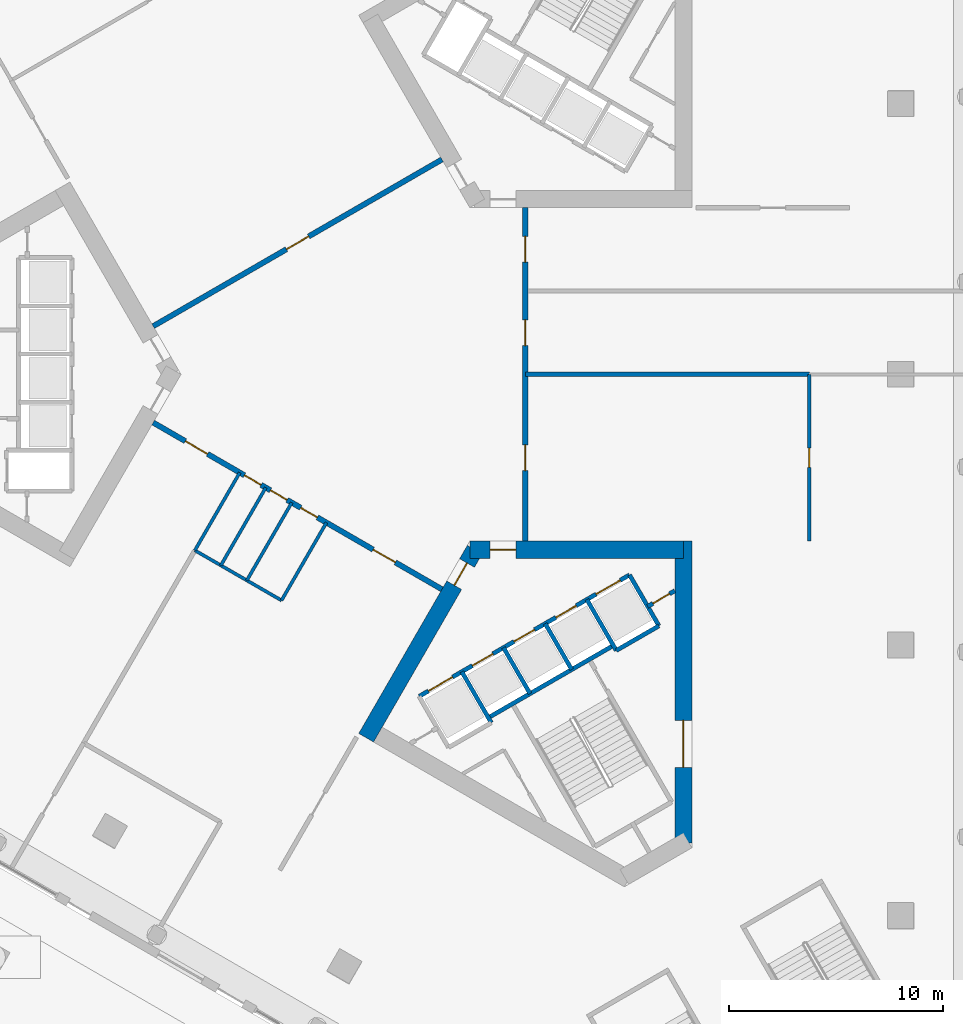
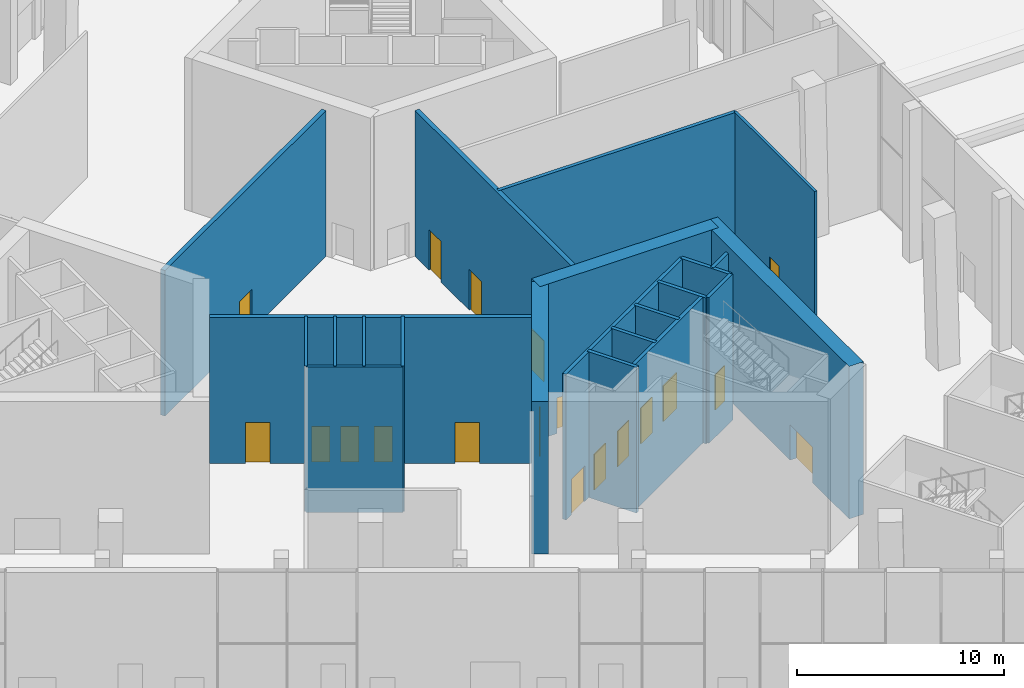
# One storey, part 28 of 63: 22 walls, 19 doors, 19 openings.
"""IFC4 building model written with IfcOpenShell, lengths in metres."""

from ifc_helpers import new_model, si_unit, direction, frame, frame_2d, origin, place, context, subcontext, project, spatial, rectangle, extrude, material, layer, layer_set, type_object, element, fill, save


model = new_model("IFC4")

# Units and contexts
model_context = context("Model", 3, precision=1e-05, world=origin(), true_north=direction((0.0, 1.0)))
body_context = subcontext(model_context, "Body", "Model", "MODEL_VIEW")
ifc_project = project(units=[si_unit("LENGTHUNIT", "METRE"), si_unit("AREAUNIT", "SQUARE_METRE"), si_unit("VOLUMEUNIT", "CUBIC_METRE"), si_unit("PLANEANGLEUNIT", "RADIAN"), si_unit("MASSUNIT", "GRAM", prefix="KILO")], contexts=[model_context])

# Site, building, storey
site_placement = place(None, origin())
site = spatial("IfcSite", under=ifc_project, at=site_placement, CompositionType="ELEMENT")
building_placement = place(site_placement, origin())
building = spatial("IfcBuilding", under=site, at=building_placement, Name="Jabali Bay Hotel Tower and Convention Centre", CompositionType="ELEMENT")
storey_placement = place(building_placement, origin())
storey = spatial("IfcBuildingStorey", under=building, at=storey_placement, Name="L00", CompositionType="ELEMENT", Elevation=0.0)

# Wall, opening, door
ifc_material_1 = material(Name="Concrete C40", Category="concrete")
ifc_layer_1 = layer(ifc_material_1, 0.199951171875)
ifc_layer_set_1 = layer_set([ifc_layer_1], Name="Concrete C40")
wall_type_1 = type_object("IfcWallType", Name="Core partition wall 200", PredefinedType="PARTITIONING", material=ifc_layer_set_1)
wall_1_placement = place(storey_placement, frame((87.814697265625, 69.154296875, 0.0), z_axis=(0.0, 0.0, 1.0), x_axis=(0.866054810376, 0.49994906283, 0.0)))
wall_1 = element("IfcWall", 1, at=wall_1_placement, inside=storey, type_object=wall_type_1, Name="Core wall 2.12 L00", PredefinedType="PARTITIONING", context=body_context, shape_type="SweptSolid", body=[
    extrude(rectangle(XDim=1.461181640625, YDim=0.199951171875, at=frame_2d((0.73046875, 0.0))), origin(), (0.0, 0.0, 1.0), 8.60009765625),
])
opening_1_placement = place(wall_1_placement, frame((0.280517578125, 0.0, 0.0)))
opening_1 = element("IfcOpeningElement", 2, at=opening_1_placement, cuts=wall_1, Name="Opening D121", PredefinedType="OPENING", context=body_context, shape_type="SweptSolid", body=[
    extrude(rectangle(XDim=0.89990234375, YDim=2.10009765625, at=frame_2d((0.449951171875, 1.050048828125))), frame((0.0, 0.1103515625, 0.0), z_axis=(0.0, -1.0, 0.0), x_axis=(1.0, 0.0, 0.0)), (0.0, 0.0, 1.0), 0.220947265625),
])
ifc_material_2 = material(Name="Fire-rated steel door", Category="steel")
door_type_1 = type_object("IfcDoorType", Name="Vestibule fire door 900 x 2100", OperationType="NOTDEFINED", PredefinedType="NOTDEFINED", material=ifc_material_2)
door_1_placement = place(opening_1_placement, origin())
door_1 = element("IfcDoor", 3, at=door_1_placement, inside=storey, type_object=door_type_1, Name="Vestibule fire door D121", OperationType="SINGLE_SWING_LEFT", OverallHeight=2.10009765625, OverallWidth=0.89990234375, PredefinedType="NOTDEFINED", context=body_context, shape_type="SweptSolid", body=[
    extrude(rectangle(XDim=0.89990234375, YDim=2.10009765625, at=frame_2d((0.449951171875, 1.050048828125))), frame((0.0, 0.02490234375, 0.0), z_axis=(0.0, -1.0, 0.0), x_axis=(1.0, 0.0, 0.0)), (0.0, 0.0, 1.0), 0.050048828125),
])
fill(opening_1, door_1)

# Walls
ifc_layer_2 = layer(ifc_material_1, 0.199951171875)
ifc_layer_set_2 = layer_set([ifc_layer_2], Name="Concrete C40")
wall_type_2 = type_object("IfcWallType", Name="Core stair wall 200", PredefinedType="SOLIDWALL", material=ifc_layer_set_2)
wall_2_placement = place(storey_placement, frame((79.127197265625, 66.1015625, 0.0), z_axis=(0.0, 0.0, 1.0), x_axis=(0.499996545922, -0.866027397988, 0.0)))
element("IfcWall", 4, at=wall_2_placement, inside=storey, type_object=wall_type_2, Name="Core wall 2.2 L00", PredefinedType="SOLIDWALL", context=body_context, shape_type="SweptSolid", body=[
    extrude(rectangle(XDim=2.75, YDim=0.199951171875, at=frame_2d((1.375, 0.0))), origin(), (0.0, 0.0, 1.0), 8.60009765625),
])
for number, where, z_axis, x_axis, name in (
    (5, (81.07568359375, 67.2265625, 0.0), (0.0, 0.0, 1.0), (0.50000366821, -0.866023285932, 0.0), "Core wall 2.4 L00"),
    (6, (83.024169921875, 68.3515625, 0.0), (0.0, 0.0, 1.0), (0.50000366821, -0.866023285932, 0.0), "Core wall 2.6 L00"),
):
    element("IfcWall", number, at=place(storey_placement, frame(where, z_axis=z_axis, x_axis=x_axis)), inside=storey, type_object=wall_type_2, Name=name, PredefinedType="SOLIDWALL", context=body_context, shape_type="SweptSolid", body=[
        extrude(rectangle(XDim=2.47998046875, YDim=0.199951171875, at=frame_2d((1.239990234375, 0.0))), origin(), (0.0, 0.0, 1.0), 8.60009765625),
    ])
for number, where, z_axis, x_axis, name in (
    (7, (84.972900390625, 69.4765625, 0.0), (0.0, 0.0, 1.0), (0.499996545922, -0.866027397988, 0.0), "Core wall 2.8 L00"),
    (8, (86.964599609375, 70.62646484375, 0.0), (0.0, 0.0, 1.0), (0.499996545922, -0.866027397988, 0.0), "Core wall 2.9 L00"),
):
    element("IfcWall", number, at=place(storey_placement, frame(where, z_axis=z_axis, x_axis=x_axis)), inside=storey, type_object=wall_type_2, Name=name, PredefinedType="SOLIDWALL", context=body_context, shape_type="SweptSolid", body=[
        extrude(rectangle(XDim=2.75, YDim=0.199951171875, at=frame_2d((1.375, 0.0))), origin(), (0.0, 0.0, 1.0), 8.60009765625),
    ])

# Wall, openings, doors
wall_3_placement = place(storey_placement, frame((77.13525390625, 64.95166015625, 0.0), z_axis=(0.0, 0.0, 1.0), x_axis=(0.866031916153, 0.499988720078, 0.0)))
wall_3 = element("IfcWall", 9, at=wall_3_placement, inside=storey, type_object=wall_type_2, Name="Core wall 2.10 L00", PredefinedType="SOLIDWALL", context=body_context, shape_type="SweptSolid", body=[
    extrude(rectangle(XDim=11.349853515625, YDim=0.199951171875, at=frame_2d((5.6748046875, 0.0))), origin(), (0.0, 0.0, 1.0), 8.60009765625),
])
opening_2_placement = place(wall_3_placement, frame((0.5, 0.0, 0.0)))
opening_2 = element("IfcOpeningElement", 10, at=opening_2_placement, cuts=wall_3, Name="Opening LD11-L00", PredefinedType="OPENING", context=body_context, shape_type="SweptSolid", body=[
    extrude(rectangle(XDim=1.300048828125, YDim=2.10009765625, at=frame_2d((0.64990234375, 1.050048828125))), frame((0.0, 0.1103515625, 0.0), z_axis=(0.0, -1.0, 0.0), x_axis=(1.0, 0.0, 0.0)), (0.0, 0.0, 1.0), 0.220947265625),
])
opening_3_placement = place(wall_3_placement, frame((2.875, 0.0, 0.0)))
opening_3 = element("IfcOpeningElement", 11, at=opening_3_placement, cuts=wall_3, Name="Opening LD12-L00", PredefinedType="OPENING", context=body_context, shape_type="SweptSolid", body=[
    extrude(rectangle(XDim=1.10009765625, YDim=2.10009765625, at=frame_2d((0.550048828125, 1.050048828125))), frame((0.0, 0.1103515625, 0.0), z_axis=(0.0, -1.0, 0.0), x_axis=(1.0, 0.0, 0.0)), (0.0, 0.0, 1.0), 0.220947265625),
])
opening_4_placement = place(wall_3_placement, frame((5.125, 0.0, 0.0)))
opening_4 = element("IfcOpeningElement", 12, at=opening_4_placement, cuts=wall_3, Name="Opening LD13-L00", PredefinedType="OPENING", context=body_context, shape_type="SweptSolid", body=[
    extrude(rectangle(XDim=1.10009765625, YDim=2.10009765625, at=frame_2d((0.550048828125, 1.050048828125))), frame((0.0, 0.1103515625, 0.0), z_axis=(0.0, -1.0, 0.0), x_axis=(1.0, 0.0, 0.0)), (0.0, 0.0, 1.0), 0.220947265625),
])
opening_5_placement = place(wall_3_placement, frame((7.375, 0.0, 0.0)))
opening_5 = element("IfcOpeningElement", 13, at=opening_5_placement, cuts=wall_3, Name="Opening LD14-L00", PredefinedType="OPENING", context=body_context, shape_type="SweptSolid", body=[
    extrude(rectangle(XDim=1.10009765625, YDim=2.10009765625, at=frame_2d((0.550048828125, 1.050048828125))), frame((0.0, 0.1103515625, 0.0), z_axis=(0.0, -1.0, 0.0), x_axis=(1.0, 0.0, 0.0)), (0.0, 0.0, 1.0), 0.220947265625),
])
opening_6_placement = place(wall_3_placement, frame((9.550048828125, 0.0, 0.0)))
opening_6 = element("IfcOpeningElement", 14, at=opening_6_placement, cuts=wall_3, Name="Opening LD15-L00", PredefinedType="OPENING", context=body_context, shape_type="SweptSolid", body=[
    extrude(rectangle(XDim=1.300048828125, YDim=2.10009765625, at=frame_2d((0.64990234375, 1.050048828125))), frame((0.0, 0.1103515625, 0.0), z_axis=(0.0, -1.0, 0.0), x_axis=(1.0, 0.0, 0.0)), (0.0, 0.0, 1.0), 0.220947265625),
])
ifc_material_3 = material(Name="Stainless steel landing door", Category="steel")
door_type_2 = type_object("IfcDoorType", Name="Landing door 1100 x 2100", OperationType="NOTDEFINED", PredefinedType="NOTDEFINED", material=ifc_material_3)
door_2_placement = place(opening_3_placement, origin())
door_2 = element("IfcDoor", 15, at=door_2_placement, inside=storey, type_object=door_type_2, Name="Landing doors LD12-L00", OperationType="SLIDING_TO_LEFT", OverallHeight=2.10009765625, OverallWidth=1.10009765625, PredefinedType="NOTDEFINED", context=body_context, shape_type="SweptSolid", body=[
    extrude(rectangle(XDim=1.10009765625, YDim=2.10009765625, at=frame_2d((0.550048828125, 1.050048828125))), frame((0.0, 0.02490234375, 0.0), z_axis=(0.0, -1.0, 0.0), x_axis=(1.0, 0.0, 0.0)), (0.0, 0.0, 1.0), 0.050048828125),
])
fill(opening_3, door_2)
door_3_placement = place(opening_4_placement, origin())
door_3 = element("IfcDoor", 16, at=door_3_placement, inside=storey, type_object=door_type_2, Name="Landing doors LD13-L00", OperationType="SLIDING_TO_RIGHT", OverallHeight=2.10009765625, OverallWidth=1.10009765625, PredefinedType="NOTDEFINED", context=body_context, shape_type="SweptSolid", body=[
    extrude(rectangle(XDim=1.10009765625, YDim=2.10009765625, at=frame_2d((0.550048828125, 1.050048828125))), frame((0.0, 0.02490234375, 0.0), z_axis=(0.0, -1.0, 0.0), x_axis=(1.0, 0.0, 0.0)), (0.0, 0.0, 1.0), 0.050048828125),
])
fill(opening_4, door_3)
door_4_placement = place(opening_5_placement, origin())
door_4 = element("IfcDoor", 17, at=door_4_placement, inside=storey, type_object=door_type_2, Name="Landing doors LD14-L00", OperationType="SLIDING_TO_LEFT", OverallHeight=2.10009765625, OverallWidth=1.10009765625, PredefinedType="NOTDEFINED", context=body_context, shape_type="SweptSolid", body=[
    extrude(rectangle(XDim=1.10009765625, YDim=2.10009765625, at=frame_2d((0.550048828125, 1.050048828125))), frame((0.0, 0.02490234375, 0.0), z_axis=(0.0, -1.0, 0.0), x_axis=(1.0, 0.0, 0.0)), (0.0, 0.0, 1.0), 0.050048828125),
])
fill(opening_5, door_4)
door_type_3 = type_object("IfcDoorType", Name="Landing door 1300 x 2100", OperationType="NOTDEFINED", PredefinedType="NOTDEFINED", material=ifc_material_3)
door_5_placement = place(opening_2_placement, origin())
door_5 = element("IfcDoor", 18, at=door_5_placement, inside=storey, type_object=door_type_3, Name="Landing doors LD11-L00", OperationType="SLIDING_TO_RIGHT", OverallHeight=2.10009765625, OverallWidth=1.300048828125, PredefinedType="NOTDEFINED", context=body_context, shape_type="SweptSolid", body=[
    extrude(rectangle(XDim=1.300048828125, YDim=2.10009765625, at=frame_2d((0.64990234375, 1.050048828125))), frame((0.0, 0.02490234375, 0.0), z_axis=(0.0, -1.0, 0.0), x_axis=(1.0, 0.0, 0.0)), (0.0, 0.0, 1.0), 0.050048828125),
])
fill(opening_2, door_5)
door_6_placement = place(opening_6_placement, origin())
door_6 = element("IfcDoor", 19, at=door_6_placement, inside=storey, type_object=door_type_3, Name="Landing doors LD15-L00", OperationType="SLIDING_TO_RIGHT", OverallHeight=2.10009765625, OverallWidth=1.300048828125, PredefinedType="NOTDEFINED", context=body_context, shape_type="SweptSolid", body=[
    extrude(rectangle(XDim=1.300048828125, YDim=2.10009765625, at=frame_2d((0.64990234375, 1.050048828125))), frame((0.0, 0.02490234375, 0.0), z_axis=(0.0, -1.0, 0.0), x_axis=(1.0, 0.0, 0.0)), (0.0, 0.0, 1.0), 0.050048828125),
])
fill(opening_6, door_6)

# Walls
wall_4_placement = place(storey_placement, frame((80.3671875, 63.953857421875, 0.0), z_axis=(0.0, 0.0, 1.0), x_axis=(0.866026575979, 0.499997969693, 0.0)))
element("IfcWall", 20, at=wall_4_placement, inside=storey, type_object=wall_type_2, Name="Core wall 2.13 L00", PredefinedType="SOLIDWALL", context=body_context, shape_type="SweptSolid", body=[
    extrude(rectangle(XDim=6.75, YDim=0.199951171875, at=frame_2d((3.375, 0.0))), origin(), (0.0, 0.0, 1.0), 8.60009765625),
])
wall_5_placement = place(storey_placement, frame((86.347900390625, 67.094970703125, 0.0), z_axis=(0.0, 0.0, 1.0), x_axis=(0.86602648383, 0.499998129301, 0.0)))
element("IfcWall", 21, at=wall_5_placement, inside=storey, type_object=wall_type_2, Name="Core wall 2.15 L00", PredefinedType="SOLIDWALL", context=body_context, shape_type="SweptSolid", body=[
    extrude(rectangle(XDim=2.2998046875, YDim=0.199951171875, at=frame_2d((1.14990234375, 0.0))), origin(), (0.0, 0.0, 1.0), 8.60009765625),
])

# Wall, opening, door
ifc_material_4 = material(Name="Concrete C60", Category="concrete")
ifc_layer_3 = layer(ifc_material_4, 0.800048828125)
ifc_layer_set_3 = layer_set([ifc_layer_3], Name="Concrete C60")
wall_type_3 = type_object("IfcWallType", Name="Core wall 800", PredefinedType="SHEAR", material=ifc_layer_set_3)
wall_6_placement = place(storey_placement, frame((79.73095703125, 71.8056640625, 0.0), z_axis=(0.0, 0.0, 1.0), x_axis=(-0.49999662545, -0.866027352073, 0.0)))
wall_6 = element("IfcWall", 22, at=wall_6_placement, inside=storey, type_object=wall_type_3, Name="Core wall 3.1 L00", PredefinedType="SHEAR", context=body_context, shape_type="SweptSolid", body=[
    extrude(rectangle(XDim=10.14892578125, YDim=0.800048828125, at=frame_2d((5.074462890625, 0.0))), origin(), (0.0, 0.0, 1.0), 9.0),
])
opening_7_placement = place(wall_6_placement, frame((0.718994140625, 0.0, 0.0)))
opening_7 = element("IfcOpeningElement", 23, at=opening_7_placement, cuts=wall_6, Name="Opening D119", PredefinedType="OPENING", context=body_context, shape_type="SweptSolid", body=[
    extrude(rectangle(XDim=1.199951171875, YDim=2.10009765625, at=frame_2d((0.60009765625, 1.050048828125))), frame((0.0, 0.41064453125, 0.0), z_axis=(0.0, -1.0, 0.0), x_axis=(1.0, 0.0, 0.0)), (0.0, 0.0, 1.0), 0.821044921875),
])
door_type_4 = type_object("IfcDoorType", Name="Corridor end fire door 1200 x 2100", OperationType="NOTDEFINED", PredefinedType="NOTDEFINED", material=ifc_material_2)
door_7_placement = place(opening_7_placement, origin())
door_7 = element("IfcDoor", 24, at=door_7_placement, inside=storey, type_object=door_type_4, Name="Corridor end fire door D119", OperationType="SINGLE_SWING_RIGHT", OverallHeight=2.10009765625, OverallWidth=1.199951171875, PredefinedType="NOTDEFINED", context=body_context, shape_type="SweptSolid", body=[
    extrude(rectangle(XDim=1.199951171875, YDim=2.10009765625, at=frame_2d((0.60009765625, 1.050048828125))), frame((0.0, 0.02490234375, 0.0), z_axis=(0.0, -1.0, 0.0), x_axis=(1.0, 0.0, 0.0)), (0.0, 0.0, 1.0), 0.050048828125),
])
fill(opening_7, door_7)

wall_7_placement = place(storey_placement, frame((89.47998046875, 58.103271484375, 0.0), z_axis=(0.0, 0.0, 1.0), x_axis=(0.0, 1.0, 0.0)))
wall_7 = element("IfcWall", 25, at=wall_7_placement, inside=storey, type_object=wall_type_3, Name="Core wall 3.4 L00", PredefinedType="SHEAR", context=body_context, shape_type="SweptSolid", body=[
    extrude(rectangle(XDim=14.1025390625, YDim=0.800048828125, at=frame_2d((7.05126953125, 0.0))), origin(), (0.0, 0.0, 1.0), 9.0),
])
opening_8_placement = place(wall_7_placement, frame((3.5224609375, 0.0, 0.0)))
opening_8 = element("IfcOpeningElement", 26, at=opening_8_placement, cuts=wall_7, Name="Opening D125", PredefinedType="OPENING", context=body_context, shape_type="SweptSolid", body=[
    extrude(rectangle(XDim=2.199951171875, YDim=2.10009765625, at=frame_2d((1.10009765625, 1.050048828125))), frame((0.0, 0.41064453125, 0.0), z_axis=(0.0, -1.0, 0.0), x_axis=(1.0, 0.0, 0.0)), (0.0, 0.0, 1.0), 0.821044921875),
])
door_type_5 = type_object("IfcDoorType", Name="Stair exit door 2200 x 2100", OperationType="NOTDEFINED", PredefinedType="NOTDEFINED", material=ifc_material_2)
door_8_placement = place(opening_8_placement, origin())
door_8 = element("IfcDoor", 27, at=door_8_placement, inside=storey, type_object=door_type_5, Name="Stair exit door D125", OperationType="SINGLE_SWING_RIGHT", OverallHeight=2.10009765625, OverallWidth=2.199951171875, PredefinedType="NOTDEFINED", context=body_context, shape_type="SweptSolid", body=[
    extrude(rectangle(XDim=2.199951171875, YDim=2.10009765625, at=frame_2d((1.10009765625, 1.050048828125))), frame((0.0, 0.02490234375, 0.0), z_axis=(0.0, -1.0, 0.0), x_axis=(1.0, 0.0, 0.0)), (0.0, 0.0, 1.0), 0.050048828125),
])
fill(opening_8, door_8)

wall_8_placement = place(storey_placement, frame((89.47998046875, 71.8056640625, 0.0), z_axis=(0.0, 0.0, 1.0), x_axis=(-1.0, 0.0, 0.0)))
wall_8 = element("IfcWall", 28, at=wall_8_placement, inside=storey, type_object=wall_type_3, Name="Core wall 3.5 L00", PredefinedType="SHEAR", context=body_context, shape_type="SweptSolid", body=[
    extrude(rectangle(XDim=9.97998046875, YDim=0.800048828125, at=frame_2d((4.989990234375, 0.0))), origin(), (0.0, 0.0, 1.0), 9.0),
])
opening_9_placement = place(wall_8_placement, frame((7.830078125, 0.0, 0.0)))
opening_9 = element("IfcOpeningElement", 29, at=opening_9_placement, cuts=wall_8, Name="Opening D120", PredefinedType="OPENING", context=body_context, shape_type="SweptSolid", body=[
    extrude(rectangle(XDim=1.199951171875, YDim=2.10009765625, at=frame_2d((0.60009765625, 1.050048828125))), frame((0.0, 0.41064453125, 0.0), z_axis=(0.0, -1.0, 0.0), x_axis=(1.0, 0.0, 0.0)), (0.0, 0.0, 1.0), 0.821044921875),
])
door_9_placement = place(opening_9_placement, origin())
door_9 = element("IfcDoor", 30, at=door_9_placement, inside=storey, type_object=door_type_4, Name="Corridor end fire door D120", OperationType="SINGLE_SWING_LEFT", OverallHeight=2.10009765625, OverallWidth=1.199951171875, PredefinedType="NOTDEFINED", context=body_context, shape_type="SweptSolid", body=[
    extrude(rectangle(XDim=1.199951171875, YDim=2.10009765625, at=frame_2d((0.60009765625, 1.050048828125))), frame((0.0, 0.02490234375, 0.0), z_axis=(0.0, -1.0, 0.0), x_axis=(1.0, 0.0, 0.0)), (0.0, 0.0, 1.0), 0.050048828125),
])
fill(opening_9, door_9)

# Wall, openings, doors
ifc_layer_4 = layer(ifc_material_4, 0.25)
ifc_layer_set_4 = layer_set([ifc_layer_4], Name="Concrete C60")
wall_type_4 = type_object("IfcWallType", Name="Corridor wall 250", PredefinedType="SHEAR", material=ifc_layer_set_4)
wall_9_placement = place(storey_placement, frame((82.10009765625, 72.205810546875, 0.0), z_axis=(0.0, 0.0, 1.0), x_axis=(0.0, 1.0, 0.0)))
wall_9 = element("IfcWall", 31, at=wall_9_placement, inside=storey, type_object=wall_type_4, Name="Corridor wall 1 L00", PredefinedType="SHEAR", context=body_context, shape_type="SweptSolid", body=[
    extrude(rectangle(XDim=15.58837890625, YDim=0.25, at=frame_2d((7.794189453125, 0.0))), origin(), (0.0, 0.0, 1.0), 8.60009765625),
])
opening_10_placement = place(wall_9_placement, frame((3.297119140625, 0.0, 0.0)))
opening_10 = element("IfcOpeningElement", 32, at=opening_10_placement, cuts=wall_9, Name="Opening 0001", PredefinedType="OPENING", context=body_context, shape_type="SweptSolid", body=[
    extrude(rectangle(XDim=1.199951171875, YDim=2.39990234375, at=frame_2d((0.60009765625, 1.199951171875))), frame((0.0, 0.135498046875, 0.0), z_axis=(0.0, -1.0, 0.0), x_axis=(1.0, 0.0, 0.0)), (0.0, 0.0, 1.0), 0.27099609375),
])
opening_11_placement = place(wall_9_placement, frame((9.142822265625, 0.0, 0.0)))
opening_11 = element("IfcOpeningElement", 33, at=opening_11_placement, cuts=wall_9, Name="Opening 0003", PredefinedType="OPENING", context=body_context, shape_type="SweptSolid", body=[
    extrude(rectangle(XDim=1.199951171875, YDim=2.39990234375, at=frame_2d((0.60009765625, 1.199951171875))), frame((0.0, 0.135498046875, 0.0), z_axis=(0.0, -1.0, 0.0), x_axis=(1.0, 0.0, 0.0)), (0.0, 0.0, 1.0), 0.27099609375),
])
opening_12_placement = place(wall_9_placement, frame((13.039794921875, 0.0, 0.0)))
opening_12 = element("IfcOpeningElement", 34, at=opening_12_placement, cuts=wall_9, Name="Opening 0004", PredefinedType="OPENING", context=body_context, shape_type="SweptSolid", body=[
    extrude(rectangle(XDim=1.199951171875, YDim=2.39990234375, at=frame_2d((0.60009765625, 1.199951171875))), frame((0.0, 0.135498046875, 0.0), z_axis=(0.0, -1.0, 0.0), x_axis=(1.0, 0.0, 0.0)), (0.0, 0.0, 1.0), 0.27099609375),
])
ifc_material_5 = material(Name="Timber", Category="wood")
door_type_6 = type_object("IfcDoorType", Name="Public room door 1200 x 2400", OperationType="NOTDEFINED", PredefinedType="NOTDEFINED", material=ifc_material_5)
door_10_placement = place(opening_10_placement, origin())
door_10 = element("IfcDoor", 35, at=door_10_placement, inside=storey, type_object=door_type_6, Name="Door 0001", OperationType="SINGLE_SWING_LEFT", OverallHeight=2.39990234375, OverallWidth=1.199951171875, PredefinedType="NOTDEFINED", context=body_context, shape_type="SweptSolid", body=[
    extrude(rectangle(XDim=1.199951171875, YDim=2.39990234375, at=frame_2d((0.60009765625, 1.199951171875))), frame((0.0, 0.02490234375, 0.0), z_axis=(0.0, -1.0, 0.0), x_axis=(1.0, 0.0, 0.0)), (0.0, 0.0, 1.0), 0.050048828125),
])
fill(opening_10, door_10)
door_11_placement = place(opening_11_placement, origin())
door_11 = element("IfcDoor", 36, at=door_11_placement, inside=storey, type_object=door_type_6, Name="Door 0003", OperationType="SINGLE_SWING_RIGHT", OverallHeight=2.39990234375, OverallWidth=1.199951171875, PredefinedType="NOTDEFINED", context=body_context, shape_type="SweptSolid", body=[
    extrude(rectangle(XDim=1.199951171875, YDim=2.39990234375, at=frame_2d((0.60009765625, 1.199951171875))), frame((0.0, 0.02490234375, 0.0), z_axis=(0.0, -1.0, 0.0), x_axis=(1.0, 0.0, 0.0)), (0.0, 0.0, 1.0), 0.050048828125),
])
fill(opening_11, door_11)
door_12_placement = place(opening_12_placement, origin())
door_12 = element("IfcDoor", 37, at=door_12_placement, inside=storey, type_object=door_type_6, Name="Door 0004", OperationType="SINGLE_SWING_RIGHT", OverallHeight=2.39990234375, OverallWidth=1.199951171875, PredefinedType="NOTDEFINED", context=body_context, shape_type="SweptSolid", body=[
    extrude(rectangle(XDim=1.199951171875, YDim=2.39990234375, at=frame_2d((0.60009765625, 1.199951171875))), frame((0.0, 0.02490234375, 0.0), z_axis=(0.0, -1.0, 0.0), x_axis=(1.0, 0.0, 0.0)), (0.0, 0.0, 1.0), 0.050048828125),
])
fill(opening_12, door_12)

# Wall, opening, door
wall_10_placement = place(storey_placement, frame((78.199951171875, 90.0458984375, 0.0), z_axis=(0.0, 0.0, 1.0), x_axis=(-0.866026492143, -0.499998114903, 0.0)))
wall_10 = element("IfcWall", 38, at=wall_10_placement, inside=storey, type_object=wall_type_4, Name="Corridor wall 2 L00", PredefinedType="SHEAR", context=body_context, shape_type="SweptSolid", body=[
    extrude(rectangle(XDim=15.58837890625, YDim=0.25, at=frame_2d((7.794189453125, 0.0))), origin(), (0.0, 0.0, 1.0), 8.60009765625),
])
opening_13_placement = place(wall_10_placement, frame((7.194091796875, 0.0, 0.0)))
opening_13 = element("IfcOpeningElement", 39, at=opening_13_placement, cuts=wall_10, Name="Opening 0005", PredefinedType="OPENING", context=body_context, shape_type="SweptSolid", body=[
    extrude(rectangle(XDim=1.199951171875, YDim=2.39990234375, at=frame_2d((0.60009765625, 1.199951171875))), frame((0.0, 0.135498046875, 0.0), z_axis=(0.0, -1.0, 0.0), x_axis=(1.0, 0.0, 0.0)), (0.0, 0.0, 1.0), 0.27099609375),
])
door_13_placement = place(opening_13_placement, origin())
door_13 = element("IfcDoor", 40, at=door_13_placement, inside=storey, type_object=door_type_6, Name="Door 0005", OperationType="SINGLE_SWING_RIGHT", OverallHeight=2.39990234375, OverallWidth=1.199951171875, PredefinedType="NOTDEFINED", context=body_context, shape_type="SweptSolid", body=[
    extrude(rectangle(XDim=1.199951171875, YDim=2.39990234375, at=frame_2d((0.60009765625, 1.199951171875))), frame((0.0, 0.02490234375, 0.0), z_axis=(0.0, -1.0, 0.0), x_axis=(1.0, 0.0, 0.0)), (0.0, 0.0, 1.0), 0.050048828125),
])
fill(opening_13, door_13)

# Wall, openings, doors
wall_11_placement = place(storey_placement, frame((64.699951171875, 77.748291015625, 0.0), z_axis=(0.0, 0.0, 1.0), x_axis=(0.866026492143, -0.499998114903, 0.0)))
wall_11 = element("IfcWall", 41, at=wall_11_placement, inside=storey, type_object=wall_type_4, Name="Corridor wall 3 L00", PredefinedType="SHEAR", context=body_context, shape_type="SweptSolid", body=[
    extrude(rectangle(XDim=15.58837890625, YDim=0.25, at=frame_2d((7.794189453125, 0.0))), origin(), (0.0, 0.0, 1.0), 8.60009765625),
])
opening_14_placement = place(wall_11_placement, frame((1.73828125, 0.0, 0.0)))
opening_14 = element("IfcOpeningElement", 42, at=opening_14_placement, cuts=wall_11, Name="Opening 0007", PredefinedType="OPENING", context=body_context, shape_type="SweptSolid", body=[
    extrude(rectangle(XDim=1.199951171875, YDim=2.39990234375, at=frame_2d((0.60009765625, 1.199951171875))), frame((0.0, 0.135498046875, 0.0), z_axis=(0.0, -1.0, 0.0), x_axis=(1.0, 0.0, 0.0)), (0.0, 0.0, 1.0), 0.27099609375),
])
opening_15_placement = place(wall_11_placement, frame((4.927978515625, 0.0, 0.0)))
opening_15 = element("IfcOpeningElement", 43, at=opening_15_placement, cuts=wall_11, Name="Opening 0008", PredefinedType="OPENING", context=body_context, shape_type="SweptSolid", body=[
    extrude(rectangle(XDim=0.89990234375, YDim=2.10009765625, at=frame_2d((0.449951171875, 1.050048828125))), frame((0.0, 0.135498046875, 0.0), z_axis=(0.0, -1.0, 0.0), x_axis=(1.0, 0.0, 0.0)), (0.0, 0.0, 1.0), 0.27099609375),
])
opening_16_placement = place(wall_11_placement, frame((6.3310546875, 0.0, 0.0)))
opening_16 = element("IfcOpeningElement", 44, at=opening_16_placement, cuts=wall_11, Name="Opening 0009", PredefinedType="OPENING", context=body_context, shape_type="SweptSolid", body=[
    extrude(rectangle(XDim=0.89990234375, YDim=2.10009765625, at=frame_2d((0.449951171875, 1.050048828125))), frame((0.0, 0.135498046875, 0.0), z_axis=(0.0, -1.0, 0.0), x_axis=(1.0, 0.0, 0.0)), (0.0, 0.0, 1.0), 0.27099609375),
])
opening_17_placement = place(wall_11_placement, frame((7.9677734375, 0.0, 0.0)))
opening_17 = element("IfcOpeningElement", 45, at=opening_17_placement, cuts=wall_11, Name="Opening 0010", PredefinedType="OPENING", context=body_context, shape_type="SweptSolid", body=[
    extrude(rectangle(XDim=0.89990234375, YDim=2.10009765625, at=frame_2d((0.449951171875, 1.050048828125))), frame((0.0, 0.135498046875, 0.0), z_axis=(0.0, -1.0, 0.0), x_axis=(1.0, 0.0, 0.0)), (0.0, 0.0, 1.0), 0.27099609375),
])
opening_18_placement = place(wall_11_placement, frame((11.870849609375, 0.0, 0.0)))
opening_18 = element("IfcOpeningElement", 46, at=opening_18_placement, cuts=wall_11, Name="Opening 0011", PredefinedType="OPENING", context=body_context, shape_type="SweptSolid", body=[
    extrude(rectangle(XDim=1.199951171875, YDim=2.39990234375, at=frame_2d((0.60009765625, 1.199951171875))), frame((0.0, 0.135498046875, 0.0), z_axis=(0.0, -1.0, 0.0), x_axis=(1.0, 0.0, 0.0)), (0.0, 0.0, 1.0), 0.27099609375),
])
door_type_7 = type_object("IfcDoorType", Name="Accessible en-suite door 900 x 2100", OperationType="NOTDEFINED", PredefinedType="NOTDEFINED", material=ifc_material_5)
door_14_placement = place(opening_17_placement, origin())
door_14 = element("IfcDoor", 47, at=door_14_placement, inside=storey, type_object=door_type_7, Name="Door 0010", OperationType="SINGLE_SWING_RIGHT", OverallHeight=2.10009765625, OverallWidth=0.89990234375, PredefinedType="NOTDEFINED", context=body_context, shape_type="SweptSolid", body=[
    extrude(rectangle(XDim=0.89990234375, YDim=2.10009765625, at=frame_2d((0.449951171875, 1.050048828125))), frame((0.0, 0.02490234375, 0.0), z_axis=(0.0, -1.0, 0.0), x_axis=(1.0, 0.0, 0.0)), (0.0, 0.0, 1.0), 0.050048828125),
])
fill(opening_17, door_14)
door_type_8 = type_object("IfcDoorType", Name="Internal door 900 x 2100", OperationType="NOTDEFINED", PredefinedType="NOTDEFINED", material=ifc_material_5)
door_15_placement = place(opening_15_placement, origin())
door_15 = element("IfcDoor", 48, at=door_15_placement, inside=storey, type_object=door_type_8, Name="Door 0008", OperationType="SINGLE_SWING_LEFT", OverallHeight=2.10009765625, OverallWidth=0.89990234375, PredefinedType="NOTDEFINED", context=body_context, shape_type="SweptSolid", body=[
    extrude(rectangle(XDim=0.89990234375, YDim=2.10009765625, at=frame_2d((0.449951171875, 1.050048828125))), frame((0.0, 0.02490234375, 0.0), z_axis=(0.0, -1.0, 0.0), x_axis=(1.0, 0.0, 0.0)), (0.0, 0.0, 1.0), 0.050048828125),
])
fill(opening_15, door_15)
door_16_placement = place(opening_16_placement, origin())
door_16 = element("IfcDoor", 49, at=door_16_placement, inside=storey, type_object=door_type_8, Name="Door 0009", OperationType="SINGLE_SWING_LEFT", OverallHeight=2.10009765625, OverallWidth=0.89990234375, PredefinedType="NOTDEFINED", context=body_context, shape_type="SweptSolid", body=[
    extrude(rectangle(XDim=0.89990234375, YDim=2.10009765625, at=frame_2d((0.449951171875, 1.050048828125))), frame((0.0, 0.02490234375, 0.0), z_axis=(0.0, -1.0, 0.0), x_axis=(1.0, 0.0, 0.0)), (0.0, 0.0, 1.0), 0.050048828125),
])
fill(opening_16, door_16)
door_17_placement = place(opening_14_placement, origin())
door_17 = element("IfcDoor", 50, at=door_17_placement, inside=storey, type_object=door_type_6, Name="Door 0007", OperationType="SINGLE_SWING_LEFT", OverallHeight=2.39990234375, OverallWidth=1.199951171875, PredefinedType="NOTDEFINED", context=body_context, shape_type="SweptSolid", body=[
    extrude(rectangle(XDim=1.199951171875, YDim=2.39990234375, at=frame_2d((0.60009765625, 1.199951171875))), frame((0.0, 0.02490234375, 0.0), z_axis=(0.0, -1.0, 0.0), x_axis=(1.0, 0.0, 0.0)), (0.0, 0.0, 1.0), 0.050048828125),
])
fill(opening_14, door_17)
door_18_placement = place(opening_18_placement, origin())
door_18 = element("IfcDoor", 51, at=door_18_placement, inside=storey, type_object=door_type_6, Name="Door 0011", OperationType="SINGLE_SWING_RIGHT", OverallHeight=2.39990234375, OverallWidth=1.199951171875, PredefinedType="NOTDEFINED", context=body_context, shape_type="SweptSolid", body=[
    extrude(rectangle(XDim=1.199951171875, YDim=2.39990234375, at=frame_2d((0.60009765625, 1.199951171875))), frame((0.0, 0.02490234375, 0.0), z_axis=(0.0, -1.0, 0.0), x_axis=(1.0, 0.0, 0.0)), (0.0, 0.0, 1.0), 0.050048828125),
])
fill(opening_18, door_18)

# Wall, opening, door
ifc_material_6 = material(Name="Plasterboard on steel stud", Category="steel")
ifc_layer_5 = layer(ifc_material_6, 0.14990234375)
ifc_layer_set_5 = layer_set([ifc_layer_5], Name="Plasterboard on steel stud")
wall_type_5 = type_object("IfcWallType", Name="Partition 150 wet", PredefinedType="PARTITIONING", material=ifc_layer_set_5)
wall_12_placement = place(storey_placement, frame((95.367919921875, 72.205810546875, 0.0), z_axis=(0.0, 0.0, 1.0), x_axis=(0.0, 1.0, 0.0)))
wall_12 = element("IfcWall", 52, at=wall_12_placement, inside=storey, type_object=wall_type_5, Name="Partition P03 L00 001", PredefinedType="PARTITIONING", context=body_context, shape_type="SweptSolid", body=[
    extrude(rectangle(XDim=7.794189453125, YDim=0.14990234375, at=frame_2d((3.89697265625, 0.0))), origin(), (0.0, 0.0, 1.0), 8.60009765625),
])
opening_19_placement = place(wall_12_placement, frame((3.447021484375, 0.0, 0.0)))
opening_19 = element("IfcOpeningElement", 53, at=opening_19_placement, cuts=wall_12, Name="Opening 0002", PredefinedType="OPENING", context=body_context, shape_type="SweptSolid", body=[
    extrude(rectangle(XDim=0.89990234375, YDim=2.10009765625, at=frame_2d((0.449951171875, 1.050048828125))), frame((0.0, 0.08544921875, 0.0), z_axis=(0.0, -1.0, 0.0), x_axis=(1.0, 0.0, 0.0)), (0.0, 0.0, 1.0), 0.1708984375),
])
door_19_placement = place(opening_19_placement, origin())
door_19 = element("IfcDoor", 54, at=door_19_placement, inside=storey, type_object=door_type_8, Name="Door 0002", OperationType="SINGLE_SWING_LEFT", OverallHeight=2.10009765625, OverallWidth=0.89990234375, PredefinedType="NOTDEFINED", context=body_context, shape_type="SweptSolid", body=[
    extrude(rectangle(XDim=0.89990234375, YDim=2.10009765625, at=frame_2d((0.449951171875, 1.050048828125))), frame((0.0, 0.02490234375, 0.0), z_axis=(0.0, -1.0, 0.0), x_axis=(1.0, 0.0, 0.0)), (0.0, 0.0, 1.0), 0.050048828125),
])
fill(opening_19, door_19)

# Walls
wall_13_placement = place(storey_placement, frame((66.64990234375, 71.772705078125, 0.0), z_axis=(0.0, 0.0, 1.0), x_axis=(0.500002543286, 0.866023935413, 0.0)))
element("IfcWall", 55, at=wall_13_placement, inside=storey, type_object=wall_type_5, Name="Partition P03 L00 009", PredefinedType="PARTITIONING", context=body_context, shape_type="SweptSolid", body=[
    extrude(rectangle(XDim=4.2001953125, YDim=0.14990234375, at=frame_2d((2.10009765625, 0.0))), origin(), (0.0, 0.0, 1.0), 8.60009765625),
])
for number, where, z_axis, x_axis, name in (
    (56, (67.864990234375, 71.0712890625, 0.0), (0.0, 0.0, 1.0), (0.500027713859, 0.866009402589, 0.0), "Partition P03 L00 012"),
    (57, (69.080078125, 70.369873046875, 0.0), (0.0, 0.0, 1.0), (0.49998411664, 0.866034573852, 0.0), "Partition P03 L00 013"),
):
    element("IfcWall", number, at=place(storey_placement, frame(where, z_axis=z_axis, x_axis=x_axis)), inside=storey, type_object=wall_type_5, Name=name, PredefinedType="PARTITIONING", context=body_context, shape_type="SweptSolid", body=[
        extrude(rectangle(XDim=4.199951171875, YDim=0.14990234375, at=frame_2d((2.10009765625, 0.0))), origin(), (0.0, 0.0, 1.0), 8.60009765625),
    ])
wall_14_placement = place(storey_placement, frame((66.650390625, 71.773681640625, 0.0), z_axis=(0.0, 0.0, 1.0), x_axis=(0.866017799667, -0.500013170487, 0.0)))
element("IfcWall", 58, at=wall_14_placement, inside=storey, type_object=wall_type_5, Name="Partition P03 L00 014", PredefinedType="PARTITIONING", context=body_context, shape_type="SweptSolid", body=[
    extrude(rectangle(XDim=4.676513671875, YDim=0.14990234375, at=frame_2d((2.33837890625, 0.0))), origin(), (0.0, 0.0, 1.0), 8.60009765625),
])
wall_15_placement = place(storey_placement, frame((70.700439453125, 69.435302734375, 0.0), z_axis=(0.0, 0.0, 1.0), x_axis=(0.500016035621, 0.866016145416, 0.0)))
element("IfcWall", 59, at=wall_15_placement, inside=storey, type_object=wall_type_5, Name="Partition P03 L00 015", PredefinedType="PARTITIONING", context=body_context, shape_type="SweptSolid", body=[
    extrude(rectangle(XDim=4.198974609375, YDim=0.14990234375, at=frame_2d((2.099609375, 0.0))), origin(), (0.0, 0.0, 1.0), 8.60009765625),
])
ifc_layer_6 = layer(ifc_material_6, 0.199951171875)
ifc_layer_set_6 = layer_set([ifc_layer_6], Name="Plasterboard on steel stud")
wall_type_6 = type_object("IfcWallType", Name="Partition 200 party", PredefinedType="PARTITIONING", material=ifc_layer_set_6)
wall_16_placement = place(storey_placement, frame((95.387939453125, 80.0, 0.0), z_axis=(0.0, 0.0, 1.0), x_axis=(-1.0, 0.0, 0.0)))
element("IfcWall", 60, at=wall_16_placement, inside=storey, type_object=wall_type_6, Name="Partition P01 L00 002", PredefinedType="PARTITIONING", context=body_context, shape_type="SweptSolid", body=[
    extrude(rectangle(XDim=13.287841796875, YDim=0.199951171875, at=frame_2d((6.64404296875, 0.0))), origin(), (0.0, 0.0, 1.0), 8.60009765625),
])

save(model, "model.ifc")
